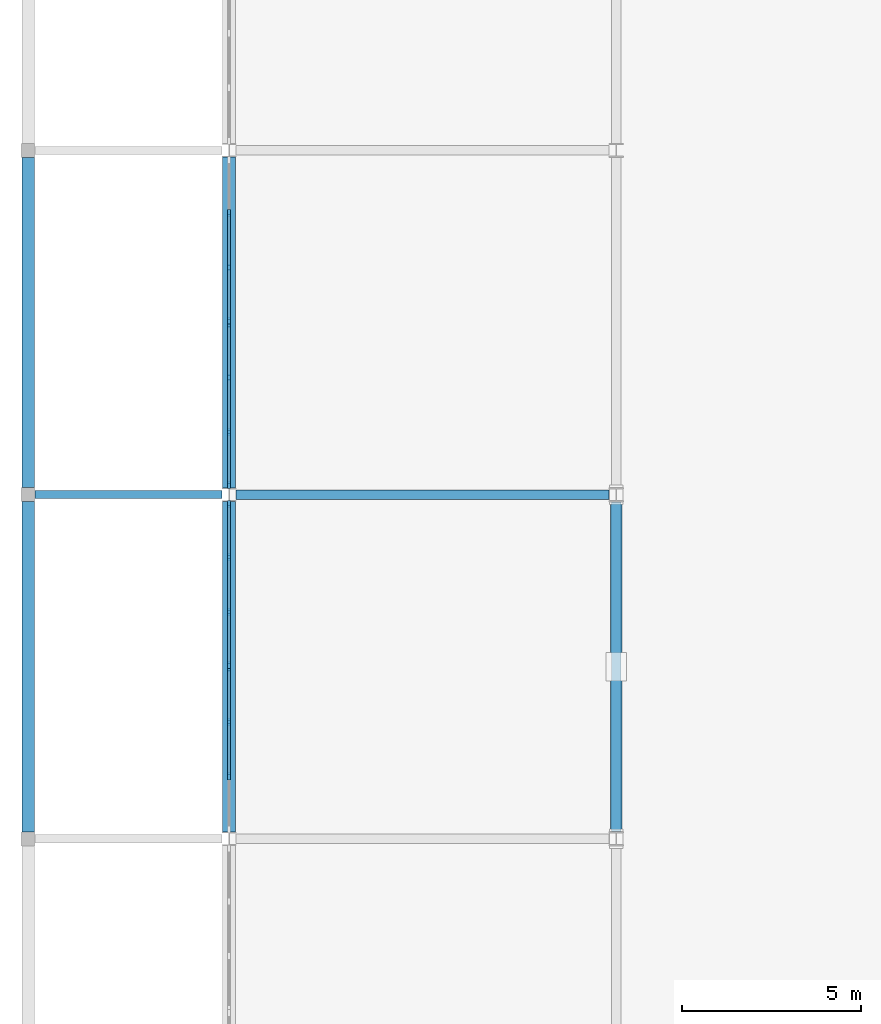
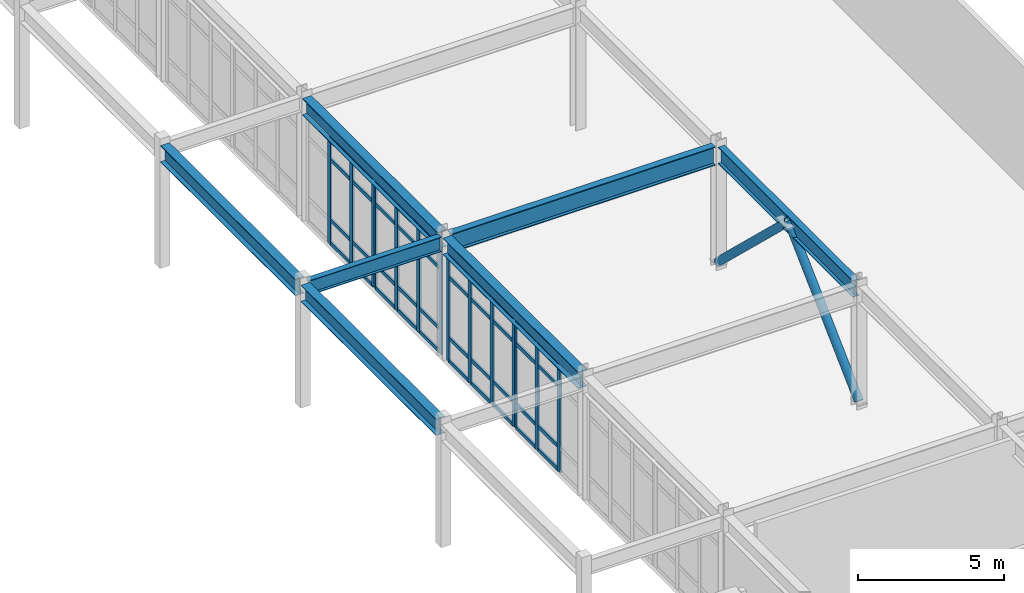
# One storey, part 13 of 72: 56 members, 7 beams, 4 elements without a shape of their own.
"""IFC4 building model written with IfcOpenShell, lengths in metres."""

from ifc_helpers import new_model, si_unit, direction, frame, origin, origin_2d, place, context, subcontext, project, spatial, rectangle, hollow_circle, i_section, extrude, material, material_profile, profile_set, type_object, element, aggregate, save


model = new_model("IFC4")

# Units and contexts
model_context = context("Model", 3, precision=1e-05, world=origin(), true_north=direction((0.0, 1.0)))
body_context = subcontext(model_context, "Body", "Model", "MODEL_VIEW")
ifc_project = project(units=[si_unit("LENGTHUNIT", "METRE"), si_unit("AREAUNIT", "SQUARE_METRE"), si_unit("VOLUMEUNIT", "CUBIC_METRE"), si_unit("PLANEANGLEUNIT", "RADIAN"), si_unit("MASSUNIT", "GRAM", prefix="KILO")], contexts=[model_context])

# Site, building, storey
site_placement = place(None, origin())
site = spatial("IfcSite", under=ifc_project, at=site_placement, CompositionType="ELEMENT")
building_placement = place(site_placement, origin())
building = spatial("IfcBuilding", under=site, at=building_placement, Name="Veldera Park Congress Hotel", CompositionType="ELEMENT")
storey_placement = place(building_placement, frame((0.0, 0.0, 5.39990234375)))
storey = spatial("IfcBuildingStorey", under=building, at=storey_placement, Name="L01", CompositionType="ELEMENT", Elevation=5.39990234375)

# Beams
ifc_material_1 = material(Name="Steel ASTM A992 Gr.50", Category="steel")
ifc_material_profile_1 = material_profile(ifc_material_1, i_section(OverallWidth=0.22900390625, OverallDepth=0.612060546875, WebThickness=0.011962890625, FlangeThickness=0.01953125, at=origin_2d()), Name="W24X84")
ifc_profile_set_1 = profile_set([ifc_material_profile_1], Name="Steel ASTM A992 Gr.50")
beam_type_1 = type_object("IfcBeamType", Name="BM-W24", PredefinedType="BEAM", material=ifc_profile_set_1)
beam_1_placement = place(storey_placement, frame((-83.60498046875, -1.800048828125, 4.82421875), z_axis=(1.0, 0.0, 0.0), x_axis=(0.0, 1.0, 0.0)))
element("IfcBeam", 1, at=beam_1_placement, inside=storey, type_object=beam_type_1, Name="L01 Girder BM-W24 584", PredefinedType="BEAM", context=body_context, shape_type="SweptSolid", body=[
    extrude(i_section(OverallWidth=0.22900390625, OverallDepth=0.612060546875, WebThickness=0.011962890625, FlangeThickness=0.01953125, at=origin_2d()), origin(), (0.0, 0.0, 1.0), 5.2080078125),
])
ifc_material_profile_2 = material_profile(ifc_material_1, i_section(OverallWidth=0.256103515625, OverallDepth=0.693115234375, WebThickness=0.014404296875, FlangeThickness=0.023681640625, at=origin_2d()), Name="W27X114")
ifc_profile_set_2 = profile_set([ifc_material_profile_2], Name="Steel ASTM A992 Gr.50")
beam_type_2 = type_object("IfcBeamType", Name="BM-W27", PredefinedType="BEAM", material=ifc_profile_set_2)
beam_2_placement = place(storey_placement, frame((-67.39990234375, -11.200439453125, 4.78369140625), z_axis=(0.0, 1.0, 0.0), x_axis=(-1.0, 0.0, 0.0)))
element("IfcBeam", 2, at=beam_2_placement, inside=storey, type_object=beam_type_2, Name="L01 Girder BM-W27 678", PredefinedType="BEAM", context=body_context, shape_type="SweptSolid", body=[
    extrude(i_section(OverallWidth=0.256103515625, OverallDepth=0.693115234375, WebThickness=0.014404296875, FlangeThickness=0.023681640625, at=origin_2d()), origin(), (0.0, 0.0, 1.0), 9.200927734375),
])
ifc_material_profile_3 = material_profile(ifc_material_1, i_section(OverallWidth=0.35498046875, OverallDepth=0.696044921875, WebThickness=0.015380859375, FlangeThickness=0.02490234375, at=origin_2d()), Name="W27X146")
ifc_profile_set_3 = profile_set([ifc_material_profile_3], Name="Steel ASTM A992 Gr.50")
beam_type_3 = type_object("IfcBeamType", Name="BM-W27E", PredefinedType="BEAM", material=ifc_profile_set_3)
for number, where, z_axis, x_axis, name in (
    (3, (-83.800048828125, -11.205078125, 4.781982421875), (0.0, 1.0, 0.0), (-1.0, 0.0, 0.0), "L01 Girder BM-W27E 660"),
    (4, (-83.800048828125, -1.60498046875, 4.781982421875), (0.0, 1.0, 0.0), (-1.0, 0.0, 0.0), "L01 Girder BM-W27E 661"),
):
    element("IfcBeam", number, at=place(storey_placement, frame(where, z_axis=z_axis, x_axis=x_axis)), inside=storey, type_object=beam_type_3, Name=name, PredefinedType="BEAM", context=body_context, shape_type="SweptSolid", body=[
        extrude(i_section(OverallWidth=0.35498046875, OverallDepth=0.696044921875, WebThickness=0.015380859375, FlangeThickness=0.02490234375, at=origin_2d()), origin(), (0.0, 0.0, 1.0), 9.2099609375),
    ])
beam_3_placement = place(storey_placement, frame((-78.199951171875, -11.21240234375, 4.781982421875), z_axis=(0.0, 1.0, 0.0), x_axis=(-1.0, 0.0, 0.0)))
element("IfcBeam", 5, at=beam_3_placement, inside=storey, type_object=beam_type_3, Name="L01 Girder BM-W27E 669", PredefinedType="BEAM", context=body_context, shape_type="SweptSolid", body=[
    extrude(i_section(OverallWidth=0.35498046875, OverallDepth=0.696044921875, WebThickness=0.015380859375, FlangeThickness=0.02490234375, at=origin_2d()), origin(), (0.0, 0.0, 1.0), 9.224853515625),
])
beam_4_placement = place(storey_placement, frame((-78.199951171875, -1.612548828125, 4.781982421875), z_axis=(0.0, 1.0, 0.0), x_axis=(-1.0, 0.0, 0.0)))
element("IfcBeam", 6, at=beam_4_placement, inside=storey, type_object=beam_type_3, Name="L01 Girder BM-W27E 670", PredefinedType="BEAM", context=body_context, shape_type="SweptSolid", body=[
    extrude(i_section(OverallWidth=0.35498046875, OverallDepth=0.696044921875, WebThickness=0.015380859375, FlangeThickness=0.02490234375, at=origin_2d()), origin(), (0.0, 0.0, 1.0), 9.22509765625),
])
ifc_material_profile_4 = material_profile(ifc_material_1, i_section(OverallWidth=0.26708984375, OverallDepth=0.779052734375, WebThickness=0.0166015625, FlangeThickness=0.030029296875, at=origin_2d()), Name="W30X148")
ifc_profile_set_4 = profile_set([ifc_material_profile_4], Name="Steel ASTM A992 Gr.50")
beam_type_4 = type_object("IfcBeamType", Name="BM-W30", PredefinedType="BEAM", material=ifc_profile_set_4)
beam_5_placement = place(storey_placement, frame((-78.0029296875, -1.800048828125, 4.740478515625), z_axis=(1.0, 0.0, 0.0), x_axis=(0.0, 1.0, 0.0)))
element("IfcBeam", 7, at=beam_5_placement, inside=storey, type_object=beam_type_4, Name="L01 Girder BM-W30 585", PredefinedType="BEAM", context=body_context, shape_type="SweptSolid", body=[
    extrude(i_section(OverallWidth=0.26708984375, OverallDepth=0.779052734375, WebThickness=0.0166015625, FlangeThickness=0.030029296875, at=origin_2d()), origin(), (0.0, 0.0, 1.0), 10.40234375),
])

# Members
ifc_material_2 = material(Name="Steel ASTM A500 Gr.C", Category="steel")
ifc_material_profile_5 = material_profile(ifc_material_2, hollow_circle(Radius=0.161865234375, WallThickness=0.01611328125, at=origin_2d()), Name="CHS 323.9x16")
ifc_profile_set_5 = profile_set([ifc_material_profile_5], Name="Steel ASTM A500 Gr.C")
member_type_1 = type_object("IfcMemberType", Name="BRC-CHS324", PredefinedType="BRACE", material=ifc_profile_set_5)
member_1_placement = place(storey_placement, frame((-67.39990234375, -11.39990234375, 0.2001953125), z_axis=(0.0, 0.723215224939, 0.690622717854), x_axis=(-1.0, 0.0, 0.0)))
element("IfcMember", 8, at=member_1_placement, inside=storey, type_object=member_type_1, Name="L01 Chevron Brace 9A", PredefinedType="BRACE", context=body_context, shape_type="SweptSolid", body=[
    extrude(hollow_circle(Radius=0.161865234375, WallThickness=0.01611328125, at=origin_2d()), origin(), (0.0, 0.0, 1.0), 6.63671875),
])
member_2_placement = place(storey_placement, frame((-67.39990234375, -1.800048828125, 0.2001953125), z_axis=(0.0, -0.72323276974, 0.690604344596), x_axis=(1.0, 0.0, 0.0)))
element("IfcMember", 9, at=member_2_placement, inside=storey, type_object=member_type_1, Name="L01 Chevron Brace 9B", PredefinedType="BRACE", context=body_context, shape_type="SweptSolid", body=[
    extrude(hollow_circle(Radius=0.161865234375, WallThickness=0.01611328125, at=origin_2d()), origin(), (0.0, 0.0, 1.0), 6.636962890625),
])

# Curtain wall, members
ifc_material_3 = material(Name="Low-E Triple Insulating Glass Unit (SHGC 0.22)", Category="glass")
curtain_wall_type = type_object("IfcCurtainWallType", Name="CW-CNG", PredefinedType="NOTDEFINED", material=ifc_material_3)
curtain_wall_1_placement = place(storey_placement, origin())
curtain_wall_1 = element("IfcCurtainWall", 10, at=curtain_wall_1_placement, inside=storey, type_object=curtain_wall_type, Name="L01 Curtain Wall CW3-V1W-L01-015", PredefinedType="NOTDEFINED")
ifc_material_4 = material(Name="Anodised Aluminium Alloy 6063-T6", Category="aluminium")
ifc_material_profile_6 = material_profile(ifc_material_4, rectangle(XDim=0.074951171875, YDim=0.199951171875, at=origin_2d()), Name="ALU 75x200")
ifc_profile_set_6 = profile_set([ifc_material_profile_6], Name="Anodised Aluminium Alloy 6063-T6")
member_type_2 = type_object("IfcMemberType", Name="CWM-200", PredefinedType="MULLION", material=ifc_profile_set_6)
member_3_placement = place(storey_placement, frame((-78.199951171875, 6.05322265625, 0.0), z_axis=(0.0, 0.0, 1.0), x_axis=(1.0, 0.0, 0.0)))
member_3 = element("IfcMember", 11, at=member_3_placement, type_object=member_type_2, Name="CW-CNG mullion 2", PredefinedType="MULLION", context=body_context, shape_type="SweptSolid", body=[
    extrude(rectangle(XDim=0.074951171875, YDim=0.199951171875, at=origin_2d()), origin(), (0.0, 0.0, 1.0), 4.42919921875),
])
member_4_placement = place(storey_placement, frame((-78.199951171875, 4.5341796875, 0.0), z_axis=(0.0, 0.0, 1.0), x_axis=(1.0, 0.0, 0.0)))
member_4 = element("IfcMember", 12, at=member_4_placement, type_object=member_type_2, Name="CW-CNG mullion 3", PredefinedType="MULLION", context=body_context, shape_type="SweptSolid", body=[
    extrude(rectangle(XDim=0.074951171875, YDim=0.199951171875, at=origin_2d()), origin(), (0.0, 0.0, 1.0), 4.42919921875),
])
member_5_placement = place(storey_placement, frame((-78.199951171875, 3.052490234375, 0.0), z_axis=(0.0, 0.0, 1.0), x_axis=(1.0, 0.0, 0.0)))
member_5 = element("IfcMember", 13, at=member_5_placement, type_object=member_type_2, Name="CW-CNG mullion 4", PredefinedType="MULLION", context=body_context, shape_type="SweptSolid", body=[
    extrude(rectangle(XDim=0.074951171875, YDim=0.199951171875, at=origin_2d()), origin(), (0.0, 0.0, 1.0), 4.42919921875),
])

curtain_wall_2_placement = place(storey_placement, origin())
curtain_wall_2 = element("IfcCurtainWall", 14, at=curtain_wall_2_placement, inside=storey, type_object=curtain_wall_type, Name="L01 Curtain Wall CW3-V1W-L01-016", PredefinedType="NOTDEFINED")
member_6_placement = place(storey_placement, frame((-78.199951171875, 2.947509765625, 0.0), z_axis=(0.0, 0.0, 1.0), x_axis=(1.0, 0.0, 0.0)))
member_6 = element("IfcMember", 15, at=member_6_placement, type_object=member_type_2, Name="CW-CNG mullion 1", PredefinedType="MULLION", context=body_context, shape_type="SweptSolid", body=[
    extrude(rectangle(XDim=0.074951171875, YDim=0.199951171875, at=origin_2d()), origin(), (0.0, 0.0, 1.0), 4.42919921875),
])
member_7_placement = place(storey_placement, frame((-78.199951171875, 1.4658203125, 0.0), z_axis=(0.0, 0.0, 1.0), x_axis=(1.0, 0.0, 0.0)))
member_7 = element("IfcMember", 16, at=member_7_placement, type_object=member_type_2, Name="CW-CNG mullion 2", PredefinedType="MULLION", context=body_context, shape_type="SweptSolid", body=[
    extrude(rectangle(XDim=0.074951171875, YDim=0.199951171875, at=origin_2d()), origin(), (0.0, 0.0, 1.0), 4.42919921875),
])
member_8_placement = place(storey_placement, frame((-78.199951171875, -0.05322265625, 0.0), z_axis=(0.0, 0.0, 1.0), x_axis=(1.0, 0.0, 0.0)))
member_8 = element("IfcMember", 17, at=member_8_placement, type_object=member_type_2, Name="CW-CNG mullion 3", PredefinedType="MULLION", context=body_context, shape_type="SweptSolid", body=[
    extrude(rectangle(XDim=0.074951171875, YDim=0.199951171875, at=origin_2d()), origin(), (0.0, 0.0, 1.0), 4.42919921875),
])
member_9_placement = place(storey_placement, frame((-78.199951171875, -1.534912109375, 0.0), z_axis=(0.0, 0.0, 1.0), x_axis=(1.0, 0.0, 0.0)))
member_9 = element("IfcMember", 18, at=member_9_placement, type_object=member_type_2, Name="CW-CNG mullion 4", PredefinedType="MULLION", context=body_context, shape_type="SweptSolid", body=[
    extrude(rectangle(XDim=0.074951171875, YDim=0.199951171875, at=origin_2d()), origin(), (0.0, 0.0, 1.0), 4.42919921875),
])

curtain_wall_3_placement = place(storey_placement, origin())
curtain_wall_3 = element("IfcCurtainWall", 19, at=curtain_wall_3_placement, inside=storey, type_object=curtain_wall_type, Name="L01 Curtain Wall CW3-V1W-L01-017", PredefinedType="NOTDEFINED")
member_10_placement = place(storey_placement, frame((-78.199951171875, -2.06494140625, 0.0), z_axis=(0.0, 0.0, 1.0), x_axis=(1.0, 0.0, 0.0)))
member_10 = element("IfcMember", 20, at=member_10_placement, type_object=member_type_2, Name="CW-CNG mullion 1", PredefinedType="MULLION", context=body_context, shape_type="SweptSolid", body=[
    extrude(rectangle(XDim=0.074951171875, YDim=0.199951171875, at=origin_2d()), origin(), (0.0, 0.0, 1.0), 4.42919921875),
])
member_11_placement = place(storey_placement, frame((-78.199951171875, -3.546630859375, 0.0), z_axis=(0.0, 0.0, 1.0), x_axis=(1.0, 0.0, 0.0)))
member_11 = element("IfcMember", 21, at=member_11_placement, type_object=member_type_2, Name="CW-CNG mullion 2", PredefinedType="MULLION", context=body_context, shape_type="SweptSolid", body=[
    extrude(rectangle(XDim=0.074951171875, YDim=0.199951171875, at=origin_2d()), origin(), (0.0, 0.0, 1.0), 4.42919921875),
])
member_12_placement = place(storey_placement, frame((-78.199951171875, -5.06591796875, 0.0), z_axis=(0.0, 0.0, 1.0), x_axis=(1.0, 0.0, 0.0)))
member_12 = element("IfcMember", 22, at=member_12_placement, type_object=member_type_2, Name="CW-CNG mullion 3", PredefinedType="MULLION", context=body_context, shape_type="SweptSolid", body=[
    extrude(rectangle(XDim=0.074951171875, YDim=0.199951171875, at=origin_2d()), origin(), (0.0, 0.0, 1.0), 4.42919921875),
])
member_13_placement = place(storey_placement, frame((-78.199951171875, -6.547607421875, 0.0), z_axis=(0.0, 0.0, 1.0), x_axis=(1.0, 0.0, 0.0)))
member_13 = element("IfcMember", 23, at=member_13_placement, type_object=member_type_2, Name="CW-CNG mullion 4", PredefinedType="MULLION", context=body_context, shape_type="SweptSolid", body=[
    extrude(rectangle(XDim=0.074951171875, YDim=0.199951171875, at=origin_2d()), origin(), (0.0, 0.0, 1.0), 4.42919921875),
])

curtain_wall_4_placement = place(storey_placement, origin())
curtain_wall_4 = element("IfcCurtainWall", 24, at=curtain_wall_4_placement, inside=storey, type_object=curtain_wall_type, Name="L01 Curtain Wall CW3-V1W-L01-018", PredefinedType="NOTDEFINED")
member_14_placement = place(storey_placement, frame((-78.199951171875, -6.652587890625, 0.0), z_axis=(0.0, 0.0, 1.0), x_axis=(1.0, 0.0, 0.0)))
member_14 = element("IfcMember", 25, at=member_14_placement, type_object=member_type_2, Name="CW-CNG mullion 1", PredefinedType="MULLION", context=body_context, shape_type="SweptSolid", body=[
    extrude(rectangle(XDim=0.074951171875, YDim=0.199951171875, at=origin_2d()), origin(), (0.0, 0.0, 1.0), 4.42919921875),
])
member_15_placement = place(storey_placement, frame((-78.199951171875, -8.13427734375, 0.0), z_axis=(0.0, 0.0, 1.0), x_axis=(1.0, 0.0, 0.0)))
member_15 = element("IfcMember", 26, at=member_15_placement, type_object=member_type_2, Name="CW-CNG mullion 2", PredefinedType="MULLION", context=body_context, shape_type="SweptSolid", body=[
    extrude(rectangle(XDim=0.074951171875, YDim=0.199951171875, at=origin_2d()), origin(), (0.0, 0.0, 1.0), 4.42919921875),
])
member_16_placement = place(storey_placement, frame((-78.199951171875, -9.6533203125, 0.0), z_axis=(0.0, 0.0, 1.0), x_axis=(1.0, 0.0, 0.0)))
member_16 = element("IfcMember", 27, at=member_16_placement, type_object=member_type_2, Name="CW-CNG mullion 3", PredefinedType="MULLION", context=body_context, shape_type="SweptSolid", body=[
    extrude(rectangle(XDim=0.074951171875, YDim=0.199951171875, at=origin_2d()), origin(), (0.0, 0.0, 1.0), 4.42919921875),
])

# Member
ifc_material_profile_7 = material_profile(ifc_material_4, rectangle(XDim=0.074951171875, YDim=0.14990234375, at=origin_2d()), Name="ALU 75x150")
ifc_profile_set_7 = profile_set([ifc_material_profile_7], Name="Anodised Aluminium Alloy 6063-T6")
member_type_3 = type_object("IfcMemberType", Name="CWT-150", PredefinedType="USERDEFINED", material=ifc_profile_set_7)
member_17_placement = place(storey_placement, frame((-78.199951171875, 6.015869140625, 0.03759765625), z_axis=(0.0, -1.0, 0.0), x_axis=(1.0, 0.0, 0.0)))
member_17 = element("IfcMember", 28, at=member_17_placement, type_object=member_type_3, Name="CW-CNG transom 2.1", ObjectType="TRANSOM", PredefinedType="USERDEFINED", context=body_context, shape_type="SweptSolid", body=[
    extrude(rectangle(XDim=0.074951171875, YDim=0.14990234375, at=origin_2d()), origin(), (0.0, 0.0, 1.0), 1.444091796875),
])

member_18_placement = place(storey_placement, frame((-78.199951171875, 6.015869140625, 1.0), z_axis=(0.0, -1.0, 0.0), x_axis=(1.0, 0.0, 0.0)))
member_18 = element("IfcMember", 29, at=member_18_placement, type_object=member_type_3, Name="CW-CNG transom 2.2", ObjectType="TRANSOM", PredefinedType="USERDEFINED", context=body_context, shape_type="SweptSolid", body=[
    extrude(rectangle(XDim=0.074951171875, YDim=0.14990234375, at=origin_2d()), origin(), (0.0, 0.0, 1.0), 1.444091796875),
])

member_19_placement = place(storey_placement, frame((-78.199951171875, 6.015869140625, 3.529052734375), z_axis=(0.0, -1.0, 0.0), x_axis=(1.0, 0.0, 0.0)))
member_19 = element("IfcMember", 30, at=member_19_placement, type_object=member_type_3, Name="CW-CNG transom 2.3", ObjectType="TRANSOM", PredefinedType="USERDEFINED", context=body_context, shape_type="SweptSolid", body=[
    extrude(rectangle(XDim=0.074951171875, YDim=0.14990234375, at=origin_2d()), origin(), (0.0, 0.0, 1.0), 1.444091796875),
])

member_20_placement = place(storey_placement, frame((-78.199951171875, 6.015869140625, 4.3916015625), z_axis=(0.0, -1.0, 0.0), x_axis=(1.0, 0.0, 0.0)))
member_20 = element("IfcMember", 31, at=member_20_placement, type_object=member_type_3, Name="CW-CNG transom 2.4", ObjectType="TRANSOM", PredefinedType="USERDEFINED", context=body_context, shape_type="SweptSolid", body=[
    extrude(rectangle(XDim=0.074951171875, YDim=0.14990234375, at=origin_2d()), origin(), (0.0, 0.0, 1.0), 1.444091796875),
])

member_21_placement = place(storey_placement, frame((-78.199951171875, 4.49658203125, 0.03759765625), z_axis=(0.0, -1.0, 0.0), x_axis=(1.0, 0.0, 0.0)))
member_21 = element("IfcMember", 32, at=member_21_placement, type_object=member_type_3, Name="CW-CNG transom 3.1", ObjectType="TRANSOM", PredefinedType="USERDEFINED", context=body_context, shape_type="SweptSolid", body=[
    extrude(rectangle(XDim=0.074951171875, YDim=0.14990234375, at=origin_2d()), origin(), (0.0, 0.0, 1.0), 1.406494140625),
])

member_22_placement = place(storey_placement, frame((-78.199951171875, 4.49658203125, 1.0), z_axis=(0.0, -1.0, 0.0), x_axis=(1.0, 0.0, 0.0)))
member_22 = element("IfcMember", 33, at=member_22_placement, type_object=member_type_3, Name="CW-CNG transom 3.2", ObjectType="TRANSOM", PredefinedType="USERDEFINED", context=body_context, shape_type="SweptSolid", body=[
    extrude(rectangle(XDim=0.074951171875, YDim=0.14990234375, at=origin_2d()), origin(), (0.0, 0.0, 1.0), 1.406494140625),
])

member_23_placement = place(storey_placement, frame((-78.199951171875, 4.49658203125, 3.529052734375), z_axis=(0.0, -1.0, 0.0), x_axis=(1.0, 0.0, 0.0)))
member_23 = element("IfcMember", 34, at=member_23_placement, type_object=member_type_3, Name="CW-CNG transom 3.3", ObjectType="TRANSOM", PredefinedType="USERDEFINED", context=body_context, shape_type="SweptSolid", body=[
    extrude(rectangle(XDim=0.074951171875, YDim=0.14990234375, at=origin_2d()), origin(), (0.0, 0.0, 1.0), 1.406494140625),
])

member_24_placement = place(storey_placement, frame((-78.199951171875, 4.49658203125, 4.3916015625), z_axis=(0.0, -1.0, 0.0), x_axis=(1.0, 0.0, 0.0)))
member_24 = element("IfcMember", 35, at=member_24_placement, type_object=member_type_3, Name="CW-CNG transom 3.4", ObjectType="TRANSOM", PredefinedType="USERDEFINED", context=body_context, shape_type="SweptSolid", body=[
    extrude(rectangle(XDim=0.074951171875, YDim=0.14990234375, at=origin_2d()), origin(), (0.0, 0.0, 1.0), 1.406494140625),
])

aggregate(curtain_wall_1, [member_3, member_4, member_5, member_17, member_18, member_19, member_20, member_21, member_22, member_23, member_24])

member_25_placement = place(storey_placement, frame((-78.199951171875, 2.909912109375, 0.03759765625), z_axis=(0.0, -1.0, 0.0), x_axis=(1.0, 0.0, 0.0)))
member_25 = element("IfcMember", 36, at=member_25_placement, type_object=member_type_3, Name="CW-CNG transom 1.1", ObjectType="TRANSOM", PredefinedType="USERDEFINED", context=body_context, shape_type="SweptSolid", body=[
    extrude(rectangle(XDim=0.074951171875, YDim=0.14990234375, at=origin_2d()), origin(), (0.0, 0.0, 1.0), 1.406494140625),
])

member_26_placement = place(storey_placement, frame((-78.199951171875, 2.909912109375, 1.0), z_axis=(0.0, -1.0, 0.0), x_axis=(1.0, 0.0, 0.0)))
member_26 = element("IfcMember", 37, at=member_26_placement, type_object=member_type_3, Name="CW-CNG transom 1.2", ObjectType="TRANSOM", PredefinedType="USERDEFINED", context=body_context, shape_type="SweptSolid", body=[
    extrude(rectangle(XDim=0.074951171875, YDim=0.14990234375, at=origin_2d()), origin(), (0.0, 0.0, 1.0), 1.406494140625),
])

member_27_placement = place(storey_placement, frame((-78.199951171875, 2.909912109375, 3.529052734375), z_axis=(0.0, -1.0, 0.0), x_axis=(1.0, 0.0, 0.0)))
member_27 = element("IfcMember", 38, at=member_27_placement, type_object=member_type_3, Name="CW-CNG transom 1.3", ObjectType="TRANSOM", PredefinedType="USERDEFINED", context=body_context, shape_type="SweptSolid", body=[
    extrude(rectangle(XDim=0.074951171875, YDim=0.14990234375, at=origin_2d()), origin(), (0.0, 0.0, 1.0), 1.406494140625),
])

member_28_placement = place(storey_placement, frame((-78.199951171875, 2.909912109375, 4.3916015625), z_axis=(0.0, -1.0, 0.0), x_axis=(1.0, 0.0, 0.0)))
member_28 = element("IfcMember", 39, at=member_28_placement, type_object=member_type_3, Name="CW-CNG transom 1.4", ObjectType="TRANSOM", PredefinedType="USERDEFINED", context=body_context, shape_type="SweptSolid", body=[
    extrude(rectangle(XDim=0.074951171875, YDim=0.14990234375, at=origin_2d()), origin(), (0.0, 0.0, 1.0), 1.406494140625),
])

member_29_placement = place(storey_placement, frame((-78.199951171875, 1.42822265625, 0.03759765625), z_axis=(0.0, -1.0, 0.0), x_axis=(1.0, 0.0, 0.0)))
member_29 = element("IfcMember", 40, at=member_29_placement, type_object=member_type_3, Name="CW-CNG transom 2.1", ObjectType="TRANSOM", PredefinedType="USERDEFINED", context=body_context, shape_type="SweptSolid", body=[
    extrude(rectangle(XDim=0.074951171875, YDim=0.14990234375, at=origin_2d()), origin(), (0.0, 0.0, 1.0), 1.444091796875),
])

member_30_placement = place(storey_placement, frame((-78.199951171875, 1.42822265625, 1.0), z_axis=(0.0, -1.0, 0.0), x_axis=(1.0, 0.0, 0.0)))
member_30 = element("IfcMember", 41, at=member_30_placement, type_object=member_type_3, Name="CW-CNG transom 2.2", ObjectType="TRANSOM", PredefinedType="USERDEFINED", context=body_context, shape_type="SweptSolid", body=[
    extrude(rectangle(XDim=0.074951171875, YDim=0.14990234375, at=origin_2d()), origin(), (0.0, 0.0, 1.0), 1.444091796875),
])

member_31_placement = place(storey_placement, frame((-78.199951171875, 1.42822265625, 3.529052734375), z_axis=(0.0, -1.0, 0.0), x_axis=(1.0, 0.0, 0.0)))
member_31 = element("IfcMember", 42, at=member_31_placement, type_object=member_type_3, Name="CW-CNG transom 2.3", ObjectType="TRANSOM", PredefinedType="USERDEFINED", context=body_context, shape_type="SweptSolid", body=[
    extrude(rectangle(XDim=0.074951171875, YDim=0.14990234375, at=origin_2d()), origin(), (0.0, 0.0, 1.0), 1.444091796875),
])

member_32_placement = place(storey_placement, frame((-78.199951171875, 1.42822265625, 4.3916015625), z_axis=(0.0, -1.0, 0.0), x_axis=(1.0, 0.0, 0.0)))
member_32 = element("IfcMember", 43, at=member_32_placement, type_object=member_type_3, Name="CW-CNG transom 2.4", ObjectType="TRANSOM", PredefinedType="USERDEFINED", context=body_context, shape_type="SweptSolid", body=[
    extrude(rectangle(XDim=0.074951171875, YDim=0.14990234375, at=origin_2d()), origin(), (0.0, 0.0, 1.0), 1.444091796875),
])

member_33_placement = place(storey_placement, frame((-78.199951171875, -0.0908203125, 0.03759765625), z_axis=(0.0, -1.0, 0.0), x_axis=(1.0, 0.0, 0.0)))
member_33 = element("IfcMember", 44, at=member_33_placement, type_object=member_type_3, Name="CW-CNG transom 3.1", ObjectType="TRANSOM", PredefinedType="USERDEFINED", context=body_context, shape_type="SweptSolid", body=[
    extrude(rectangle(XDim=0.074951171875, YDim=0.14990234375, at=origin_2d()), origin(), (0.0, 0.0, 1.0), 1.40673828125),
])

member_34_placement = place(storey_placement, frame((-78.199951171875, -0.0908203125, 1.0), z_axis=(0.0, -1.0, 0.0), x_axis=(1.0, 0.0, 0.0)))
member_34 = element("IfcMember", 45, at=member_34_placement, type_object=member_type_3, Name="CW-CNG transom 3.2", ObjectType="TRANSOM", PredefinedType="USERDEFINED", context=body_context, shape_type="SweptSolid", body=[
    extrude(rectangle(XDim=0.074951171875, YDim=0.14990234375, at=origin_2d()), origin(), (0.0, 0.0, 1.0), 1.40673828125),
])

member_35_placement = place(storey_placement, frame((-78.199951171875, -0.0908203125, 3.529052734375), z_axis=(0.0, -1.0, 0.0), x_axis=(1.0, 0.0, 0.0)))
member_35 = element("IfcMember", 46, at=member_35_placement, type_object=member_type_3, Name="CW-CNG transom 3.3", ObjectType="TRANSOM", PredefinedType="USERDEFINED", context=body_context, shape_type="SweptSolid", body=[
    extrude(rectangle(XDim=0.074951171875, YDim=0.14990234375, at=origin_2d()), origin(), (0.0, 0.0, 1.0), 1.40673828125),
])

member_36_placement = place(storey_placement, frame((-78.199951171875, -0.0908203125, 4.3916015625), z_axis=(0.0, -1.0, 0.0), x_axis=(1.0, 0.0, 0.0)))
member_36 = element("IfcMember", 47, at=member_36_placement, type_object=member_type_3, Name="CW-CNG transom 3.4", ObjectType="TRANSOM", PredefinedType="USERDEFINED", context=body_context, shape_type="SweptSolid", body=[
    extrude(rectangle(XDim=0.074951171875, YDim=0.14990234375, at=origin_2d()), origin(), (0.0, 0.0, 1.0), 1.40673828125),
])

aggregate(curtain_wall_2, [member_6, member_7, member_8, member_9, member_25, member_26, member_27, member_28, member_29, member_30, member_31, member_32, member_33, member_34, member_35, member_36])

member_37_placement = place(storey_placement, frame((-78.199951171875, -2.1025390625, 0.03759765625), z_axis=(0.0, -1.0, 0.0), x_axis=(1.0, 0.0, 0.0)))
member_37 = element("IfcMember", 48, at=member_37_placement, type_object=member_type_3, Name="CW-CNG transom 1.1", ObjectType="TRANSOM", PredefinedType="USERDEFINED", context=body_context, shape_type="SweptSolid", body=[
    extrude(rectangle(XDim=0.074951171875, YDim=0.14990234375, at=origin_2d()), origin(), (0.0, 0.0, 1.0), 1.40673828125),
])

member_38_placement = place(storey_placement, frame((-78.199951171875, -2.1025390625, 1.0), z_axis=(0.0, -1.0, 0.0), x_axis=(1.0, 0.0, 0.0)))
member_38 = element("IfcMember", 49, at=member_38_placement, type_object=member_type_3, Name="CW-CNG transom 1.2", ObjectType="TRANSOM", PredefinedType="USERDEFINED", context=body_context, shape_type="SweptSolid", body=[
    extrude(rectangle(XDim=0.074951171875, YDim=0.14990234375, at=origin_2d()), origin(), (0.0, 0.0, 1.0), 1.40673828125),
])

member_39_placement = place(storey_placement, frame((-78.199951171875, -2.1025390625, 3.529052734375), z_axis=(0.0, -1.0, 0.0), x_axis=(1.0, 0.0, 0.0)))
member_39 = element("IfcMember", 50, at=member_39_placement, type_object=member_type_3, Name="CW-CNG transom 1.3", ObjectType="TRANSOM", PredefinedType="USERDEFINED", context=body_context, shape_type="SweptSolid", body=[
    extrude(rectangle(XDim=0.074951171875, YDim=0.14990234375, at=origin_2d()), origin(), (0.0, 0.0, 1.0), 1.40673828125),
])

member_40_placement = place(storey_placement, frame((-78.199951171875, -2.1025390625, 4.3916015625), z_axis=(0.0, -1.0, 0.0), x_axis=(1.0, 0.0, 0.0)))
member_40 = element("IfcMember", 51, at=member_40_placement, type_object=member_type_3, Name="CW-CNG transom 1.4", ObjectType="TRANSOM", PredefinedType="USERDEFINED", context=body_context, shape_type="SweptSolid", body=[
    extrude(rectangle(XDim=0.074951171875, YDim=0.14990234375, at=origin_2d()), origin(), (0.0, 0.0, 1.0), 1.40673828125),
])

member_41_placement = place(storey_placement, frame((-78.199951171875, -3.584228515625, 0.03759765625), z_axis=(0.0, -1.0, 0.0), x_axis=(1.0, 0.0, 0.0)))
member_41 = element("IfcMember", 52, at=member_41_placement, type_object=member_type_3, Name="CW-CNG transom 2.1", ObjectType="TRANSOM", PredefinedType="USERDEFINED", context=body_context, shape_type="SweptSolid", body=[
    extrude(rectangle(XDim=0.074951171875, YDim=0.14990234375, at=origin_2d()), origin(), (0.0, 0.0, 1.0), 1.444091796875),
])

member_42_placement = place(storey_placement, frame((-78.199951171875, -3.584228515625, 1.0), z_axis=(0.0, -1.0, 0.0), x_axis=(1.0, 0.0, 0.0)))
member_42 = element("IfcMember", 53, at=member_42_placement, type_object=member_type_3, Name="CW-CNG transom 2.2", ObjectType="TRANSOM", PredefinedType="USERDEFINED", context=body_context, shape_type="SweptSolid", body=[
    extrude(rectangle(XDim=0.074951171875, YDim=0.14990234375, at=origin_2d()), origin(), (0.0, 0.0, 1.0), 1.444091796875),
])

member_43_placement = place(storey_placement, frame((-78.199951171875, -3.584228515625, 3.529052734375), z_axis=(0.0, -1.0, 0.0), x_axis=(1.0, 0.0, 0.0)))
member_43 = element("IfcMember", 54, at=member_43_placement, type_object=member_type_3, Name="CW-CNG transom 2.3", ObjectType="TRANSOM", PredefinedType="USERDEFINED", context=body_context, shape_type="SweptSolid", body=[
    extrude(rectangle(XDim=0.074951171875, YDim=0.14990234375, at=origin_2d()), origin(), (0.0, 0.0, 1.0), 1.444091796875),
])

member_44_placement = place(storey_placement, frame((-78.199951171875, -3.584228515625, 4.3916015625), z_axis=(0.0, -1.0, 0.0), x_axis=(1.0, 0.0, 0.0)))
member_44 = element("IfcMember", 55, at=member_44_placement, type_object=member_type_3, Name="CW-CNG transom 2.4", ObjectType="TRANSOM", PredefinedType="USERDEFINED", context=body_context, shape_type="SweptSolid", body=[
    extrude(rectangle(XDim=0.074951171875, YDim=0.14990234375, at=origin_2d()), origin(), (0.0, 0.0, 1.0), 1.444091796875),
])

member_45_placement = place(storey_placement, frame((-78.199951171875, -5.103271484375, 0.03759765625), z_axis=(0.0, -1.0, 0.0), x_axis=(1.0, 0.0, 0.0)))
member_45 = element("IfcMember", 56, at=member_45_placement, type_object=member_type_3, Name="CW-CNG transom 3.1", ObjectType="TRANSOM", PredefinedType="USERDEFINED", context=body_context, shape_type="SweptSolid", body=[
    extrude(rectangle(XDim=0.074951171875, YDim=0.14990234375, at=origin_2d()), origin(), (0.0, 0.0, 1.0), 1.40673828125),
])

member_46_placement = place(storey_placement, frame((-78.199951171875, -5.103271484375, 1.0), z_axis=(0.0, -1.0, 0.0), x_axis=(1.0, 0.0, 0.0)))
member_46 = element("IfcMember", 57, at=member_46_placement, type_object=member_type_3, Name="CW-CNG transom 3.2", ObjectType="TRANSOM", PredefinedType="USERDEFINED", context=body_context, shape_type="SweptSolid", body=[
    extrude(rectangle(XDim=0.074951171875, YDim=0.14990234375, at=origin_2d()), origin(), (0.0, 0.0, 1.0), 1.40673828125),
])

member_47_placement = place(storey_placement, frame((-78.199951171875, -5.103271484375, 3.529052734375), z_axis=(0.0, -1.0, 0.0), x_axis=(1.0, 0.0, 0.0)))
member_47 = element("IfcMember", 58, at=member_47_placement, type_object=member_type_3, Name="CW-CNG transom 3.3", ObjectType="TRANSOM", PredefinedType="USERDEFINED", context=body_context, shape_type="SweptSolid", body=[
    extrude(rectangle(XDim=0.074951171875, YDim=0.14990234375, at=origin_2d()), origin(), (0.0, 0.0, 1.0), 1.40673828125),
])

member_48_placement = place(storey_placement, frame((-78.199951171875, -5.103271484375, 4.3916015625), z_axis=(0.0, -1.0, 0.0), x_axis=(1.0, 0.0, 0.0)))
member_48 = element("IfcMember", 59, at=member_48_placement, type_object=member_type_3, Name="CW-CNG transom 3.4", ObjectType="TRANSOM", PredefinedType="USERDEFINED", context=body_context, shape_type="SweptSolid", body=[
    extrude(rectangle(XDim=0.074951171875, YDim=0.14990234375, at=origin_2d()), origin(), (0.0, 0.0, 1.0), 1.40673828125),
])

aggregate(curtain_wall_3, [member_10, member_11, member_12, member_13, member_37, member_38, member_39, member_40, member_41, member_42, member_43, member_44, member_45, member_46, member_47, member_48])

member_49_placement = place(storey_placement, frame((-78.199951171875, -6.68994140625, 0.03759765625), z_axis=(0.0, -1.0, 0.0), x_axis=(1.0, 0.0, 0.0)))
member_49 = element("IfcMember", 60, at=member_49_placement, type_object=member_type_3, Name="CW-CNG transom 1.1", ObjectType="TRANSOM", PredefinedType="USERDEFINED", context=body_context, shape_type="SweptSolid", body=[
    extrude(rectangle(XDim=0.074951171875, YDim=0.14990234375, at=origin_2d()), origin(), (0.0, 0.0, 1.0), 1.40673828125),
])

member_50_placement = place(storey_placement, frame((-78.199951171875, -6.68994140625, 1.0), z_axis=(0.0, -1.0, 0.0), x_axis=(1.0, 0.0, 0.0)))
member_50 = element("IfcMember", 61, at=member_50_placement, type_object=member_type_3, Name="CW-CNG transom 1.2", ObjectType="TRANSOM", PredefinedType="USERDEFINED", context=body_context, shape_type="SweptSolid", body=[
    extrude(rectangle(XDim=0.074951171875, YDim=0.14990234375, at=origin_2d()), origin(), (0.0, 0.0, 1.0), 1.40673828125),
])

member_51_placement = place(storey_placement, frame((-78.199951171875, -6.68994140625, 3.529052734375), z_axis=(0.0, -1.0, 0.0), x_axis=(1.0, 0.0, 0.0)))
member_51 = element("IfcMember", 62, at=member_51_placement, type_object=member_type_3, Name="CW-CNG transom 1.3", ObjectType="TRANSOM", PredefinedType="USERDEFINED", context=body_context, shape_type="SweptSolid", body=[
    extrude(rectangle(XDim=0.074951171875, YDim=0.14990234375, at=origin_2d()), origin(), (0.0, 0.0, 1.0), 1.40673828125),
])

member_52_placement = place(storey_placement, frame((-78.199951171875, -6.68994140625, 4.3916015625), z_axis=(0.0, -1.0, 0.0), x_axis=(1.0, 0.0, 0.0)))
member_52 = element("IfcMember", 63, at=member_52_placement, type_object=member_type_3, Name="CW-CNG transom 1.4", ObjectType="TRANSOM", PredefinedType="USERDEFINED", context=body_context, shape_type="SweptSolid", body=[
    extrude(rectangle(XDim=0.074951171875, YDim=0.14990234375, at=origin_2d()), origin(), (0.0, 0.0, 1.0), 1.40673828125),
])

member_53_placement = place(storey_placement, frame((-78.199951171875, -8.171630859375, 0.03759765625), z_axis=(0.0, -1.0, 0.0), x_axis=(1.0, 0.0, 0.0)))
member_53 = element("IfcMember", 64, at=member_53_placement, type_object=member_type_3, Name="CW-CNG transom 2.1", ObjectType="TRANSOM", PredefinedType="USERDEFINED", context=body_context, shape_type="SweptSolid", body=[
    extrude(rectangle(XDim=0.074951171875, YDim=0.14990234375, at=origin_2d()), origin(), (0.0, 0.0, 1.0), 1.444091796875),
])

member_54_placement = place(storey_placement, frame((-78.199951171875, -8.171630859375, 1.0), z_axis=(0.0, -1.0, 0.0), x_axis=(1.0, 0.0, 0.0)))
member_54 = element("IfcMember", 65, at=member_54_placement, type_object=member_type_3, Name="CW-CNG transom 2.2", ObjectType="TRANSOM", PredefinedType="USERDEFINED", context=body_context, shape_type="SweptSolid", body=[
    extrude(rectangle(XDim=0.074951171875, YDim=0.14990234375, at=origin_2d()), origin(), (0.0, 0.0, 1.0), 1.444091796875),
])

member_55_placement = place(storey_placement, frame((-78.199951171875, -8.171630859375, 3.529052734375), z_axis=(0.0, -1.0, 0.0), x_axis=(1.0, 0.0, 0.0)))
member_55 = element("IfcMember", 66, at=member_55_placement, type_object=member_type_3, Name="CW-CNG transom 2.3", ObjectType="TRANSOM", PredefinedType="USERDEFINED", context=body_context, shape_type="SweptSolid", body=[
    extrude(rectangle(XDim=0.074951171875, YDim=0.14990234375, at=origin_2d()), origin(), (0.0, 0.0, 1.0), 1.444091796875),
])

member_56_placement = place(storey_placement, frame((-78.199951171875, -8.171630859375, 4.3916015625), z_axis=(0.0, -1.0, 0.0), x_axis=(1.0, 0.0, 0.0)))
member_56 = element("IfcMember", 67, at=member_56_placement, type_object=member_type_3, Name="CW-CNG transom 2.4", ObjectType="TRANSOM", PredefinedType="USERDEFINED", context=body_context, shape_type="SweptSolid", body=[
    extrude(rectangle(XDim=0.074951171875, YDim=0.14990234375, at=origin_2d()), origin(), (0.0, 0.0, 1.0), 1.444091796875),
])

aggregate(curtain_wall_4, [member_14, member_15, member_16, member_49, member_50, member_51, member_52, member_53, member_54, member_55, member_56])

save(model, "model.ifc")
